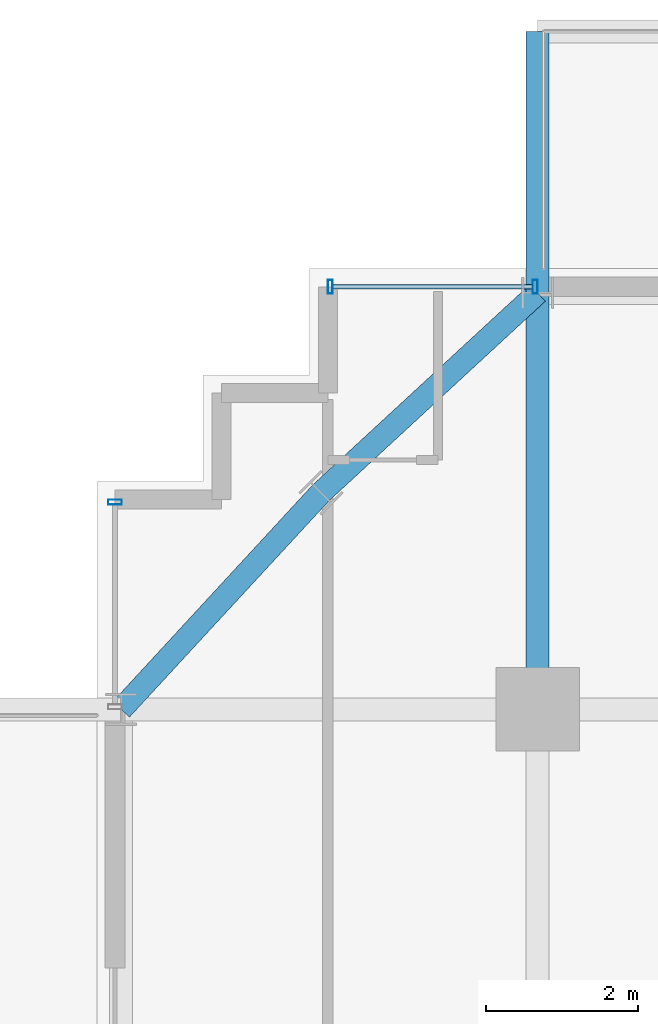
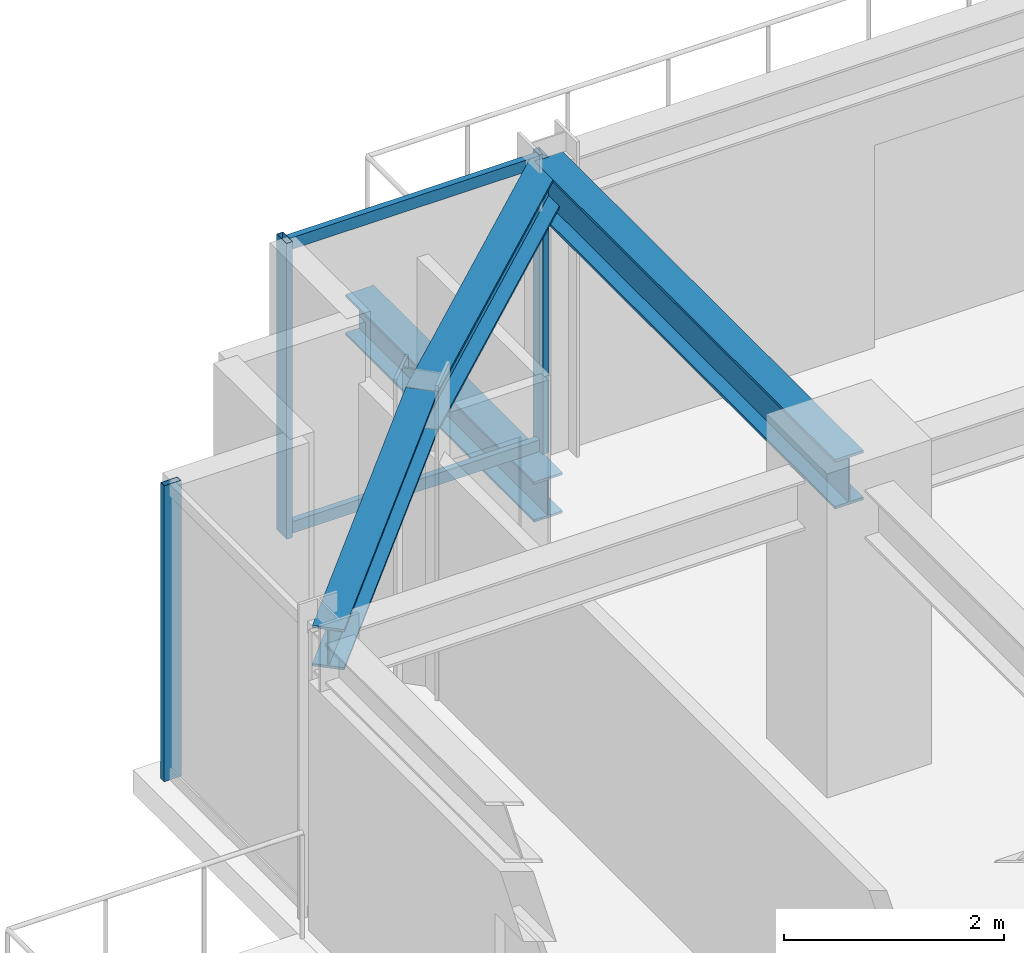
# One storey, part 17 of 32: 5 members, 4 beams, 2 elements without a shape of their own.
"""IFC4 building model written with IfcOpenShell, lengths in metres."""

from ifc_helpers import new_model, si_unit, direction, frame, origin, origin_2d, place, context, subcontext, project, spatial, hollow_rectangle, i_section, extrude, source, transform, mapped, material, material_profile, profile_set, type_object, element, aggregate, save


model = new_model("IFC4")

# Units and contexts
model_context = context("Model", 3, precision=1e-05, world=origin(), true_north=direction((0.0, 1.0)))
body_context = subcontext(model_context, "Body", "Model", "MODEL_VIEW")
ifc_project = project(units=[si_unit("LENGTHUNIT", "METRE"), si_unit("AREAUNIT", "SQUARE_METRE"), si_unit("VOLUMEUNIT", "CUBIC_METRE"), si_unit("PLANEANGLEUNIT", "RADIAN"), si_unit("MASSUNIT", "GRAM", prefix="KILO")], contexts=[model_context])

# Site, building, storey
site_placement = place(None, origin())
site = spatial("IfcSite", under=ifc_project, at=site_placement, CompositionType="ELEMENT")
building_placement = place(site_placement, origin())
building = spatial("IfcBuilding", under=site, at=building_placement, Name="Nahalor Promenade Grand Hotel", CompositionType="ELEMENT")
storey_placement = place(building_placement, frame((0.0, 0.0, 196.449951171875)))
storey = spatial("IfcBuildingStorey", under=building, at=storey_placement, Name="L50", CompositionType="ELEMENT", Elevation=196.449951171875)

# Beams
ifc_material_1 = material(Name="Steel S355JR", Category="steel")
ifc_material_profile_1 = material_profile(ifc_material_1, i_section(OverallWidth=0.3, OverallDepth=0.45, WebThickness=0.014, FlangeThickness=0.026, at=origin_2d()), Name="HEB 450")
ifc_profile_set_1 = profile_set([ifc_material_profile_1], Name="Steel S355JR")
beam_type_1 = type_object("IfcBeamType", Name="Beam-Outrigger-HEB450", PredefinedType="BEAM", material=ifc_profile_set_1)
shared_shape_1 = source(origin(), body_context, "Body", "SweptSolid", [
    extrude(i_section(OverallWidth=0.3, OverallDepth=0.45, WebThickness=0.014, FlangeThickness=0.026, at=origin_2d()), origin(), (0.0, 0.0, 1.0), 3.43994140625),
])
beam_1_placement = place(storey_placement, frame((-17.0, 22.47998046875, -0.5048828125), z_axis=(0.0, 1.0, 0.0), x_axis=(-1.0, 0.0, 0.0)))
element("IfcBeam", 1, at=beam_1_placement, inside=storey, type_object=beam_type_1, Name="BM-L50-BC-01-1", PredefinedType="BEAM", context=body_context, shape_type="MappedRepresentation", body=[
    mapped(shared_shape_1, transform((0.0, 0.0, 0.0), scale=1.0)),
])
ifc_material_profile_2 = material_profile(ifc_material_1, i_section(OverallWidth=0.3, OverallDepth=0.55, WebThickness=0.015, FlangeThickness=0.029, at=origin_2d()), Name="HEB 550")
ifc_profile_set_2 = profile_set([ifc_material_profile_2], Name="Steel S355JR")
beam_type_2 = type_object("IfcBeamType", Name="Beam-Girder-HEB550", PredefinedType="BEAM", material=ifc_profile_set_2)
shared_shape_2 = source(origin(), body_context, "Body", "SweptSolid", [
    extrude(i_section(OverallWidth=0.3, OverallDepth=0.55, WebThickness=0.015, FlangeThickness=0.029, at=origin_2d()), origin(), (0.0, 0.0, 1.0), 5.47998046875),
])
beam_2_placement = place(storey_placement, frame((-17.0, 17.0, 3.01513671875), z_axis=(0.0, 1.0, 0.0), x_axis=(-1.0, 0.0, 0.0)))
element("IfcBeam", 2, at=beam_2_placement, inside=storey, type_object=beam_type_2, Name="BM-L50-GY-0-4", PredefinedType="BEAM", context=body_context, shape_type="MappedRepresentation", body=[
    mapped(shared_shape_2, transform((0.0, 0.0, 0.0), scale=1.0)),
])
ifc_material_profile_3 = material_profile(ifc_material_1, i_section(OverallWidth=0.3, OverallDepth=0.45, WebThickness=0.014, FlangeThickness=0.026, at=origin_2d()), Name="HEB 450")
ifc_profile_set_3 = profile_set([ifc_material_profile_3], Name="Steel S355JR")
beam_type_3 = type_object("IfcBeamType", Name="Beam-Spandrel-HEB450", PredefinedType="SPANDREL", material=ifc_profile_set_3)
shared_shape_3 = source(origin(), body_context, "Body", "SweptSolid", [
    extrude(i_section(OverallWidth=0.3, OverallDepth=0.45, WebThickness=0.014, FlangeThickness=0.026, at=origin_2d()), origin(), (0.0, 0.0, 1.0), 3.878173828125),
])
for number, where, z_axis, x_axis, name in (
    (3, (-17.0, 22.47998046875, 3.06494140625), (-0.73492893846, -0.678144125843, 0.0), (0.678144125843, -0.73492893846, 0.0), "BM-L50-SPC-NW-1"),
    (4, (-19.85009765625, 19.85009765625, 3.06494140625), (-0.678144125843, -0.73492893846, 0.0), (0.73492893846, -0.678144125843, 0.0), "BM-L50-SPC-NW-2"),
):
    element("IfcBeam", number, at=place(storey_placement, frame(where, z_axis=z_axis, x_axis=x_axis)), inside=storey, type_object=beam_type_3, Name=name, PredefinedType="SPANDREL", context=body_context, shape_type="MappedRepresentation", body=[
        mapped(shared_shape_3, transform((0.0, 0.0, 0.0), scale=1.0)),
    ])

# Curtain wall, members
ifc_material_2 = material(Name="Anodised Bronze Aluminium EN AW-6063 T6", Category="aluminium")
curtain_wall_type = type_object("IfcCurtainWallType", Name="CW2 Typical Hotel Flush Bronze Unitised Curtain Wall", PredefinedType="USERDEFINED", material=ifc_material_2)
curtain_wall_1_placement = place(storey_placement, origin())
curtain_wall_1 = element("IfcCurtainWall", 5, at=curtain_wall_1_placement, inside=storey, type_object=curtain_wall_type, Name="L50 Curtain Wall CW-L50-N-1", ObjectType="UNITISED_CURTAIN_WALL", PredefinedType="USERDEFINED")
ifc_material_profile_4 = material_profile(ifc_material_2, hollow_rectangle(XDim=0.065, YDim=0.13, WallThickness=0.004, at=origin_2d()), Name="CWT 65x130x4")
ifc_profile_set_4 = profile_set([ifc_material_profile_4], Name="Anodised Bronze Aluminium EN AW-6063 T6")
member_type_1 = type_object("IfcMemberType", Name="CWT2 Typical Bronze Transom 65x130", PredefinedType="USERDEFINED", material=ifc_profile_set_4)
shared_shape_4 = source(origin(), body_context, "Body", "SweptSolid", [
    extrude(hollow_rectangle(XDim=0.065, YDim=0.13, WallThickness=0.004, at=origin_2d()), origin(), (0.0, 0.0, 1.0), 2.630126953125),
])
member_1_placement = place(storey_placement, frame((-19.695068359375, 22.56005859375, 0.06494140625), z_axis=(1.0, 0.0, 0.0), x_axis=(0.0, 1.0, 0.0)))
member_1 = element("IfcMember", 6, at=member_1_placement, type_object=member_type_1, Name="CW-L50-N-1 Transom 0-0", ObjectType="TRANSOM", PredefinedType="USERDEFINED", context=body_context, shape_type="MappedRepresentation", body=[
    mapped(shared_shape_4, transform((0.0, 0.0, 0.0), scale=1.0)),
])
member_2_placement = place(storey_placement, frame((-19.695068359375, 22.56005859375, 3.22509765625), z_axis=(1.0, 0.0, 0.0), x_axis=(0.0, 1.0, 0.0)))
member_2 = element("IfcMember", 7, at=member_2_placement, type_object=member_type_1, Name="CW-L50-N-1 Transom 0-1", ObjectType="TRANSOM", PredefinedType="USERDEFINED", context=body_context, shape_type="MappedRepresentation", body=[
    mapped(shared_shape_4, transform((0.0, 0.0, 0.0), scale=1.0)),
])
ifc_material_profile_5 = material_profile(ifc_material_2, hollow_rectangle(XDim=0.065, YDim=0.18, WallThickness=0.004, at=origin_2d()), Name="CWM 65x180x4")
ifc_profile_set_5 = profile_set([ifc_material_profile_5], Name="Anodised Bronze Aluminium EN AW-6063 T6")
member_type_2 = type_object("IfcMemberType", Name="CWM2 Typical Bronze Mullion 65x180", PredefinedType="MULLION", material=ifc_profile_set_5)
shared_shape_5 = source(origin(), body_context, "Body", "SweptSolid", [
    extrude(hollow_rectangle(XDim=0.065, YDim=0.18, WallThickness=0.004, at=origin_2d()), origin(), (0.0, 0.0, 1.0), 3.2900390625),
])
member_3_placement = place(storey_placement, frame((-19.7275390625, 22.56005859375, 0.0), z_axis=(0.0, 0.0, 1.0), x_axis=(1.0, 0.0, 0.0)))
member_3 = element("IfcMember", 8, at=member_3_placement, type_object=member_type_2, Name="CW-L50-N-1 Mullion 0", PredefinedType="MULLION", context=body_context, shape_type="MappedRepresentation", body=[
    mapped(shared_shape_5, transform((0.0, 0.0, 0.0), scale=1.0)),
])
member_4_placement = place(storey_placement, frame((-17.032470703125, 22.56005859375, 0.0), z_axis=(0.0, 0.0, 1.0), x_axis=(1.0, 0.0, 0.0)))
member_4 = element("IfcMember", 9, at=member_4_placement, type_object=member_type_2, Name="CW-L50-N-1 Mullion 1", PredefinedType="MULLION", context=body_context, shape_type="MappedRepresentation", body=[
    mapped(shared_shape_5, transform((0.0, 0.0, 0.0), scale=1.0)),
])
aggregate(curtain_wall_1, [member_3, member_4, member_1, member_2])

# Curtain wall, member
curtain_wall_2_placement = place(storey_placement, origin())
curtain_wall_2 = element("IfcCurtainWall", 10, at=curtain_wall_2_placement, inside=storey, type_object=curtain_wall_type, Name="L50 Curtain Wall CW-L50-W-3", ObjectType="UNITISED_CURTAIN_WALL", PredefinedType="USERDEFINED")
member_5_placement = place(storey_placement, frame((-22.56005859375, 19.7275390625, 0.0), z_axis=(0.0, 0.0, 1.0), x_axis=(0.0, 1.0, 0.0)))
member_5 = element("IfcMember", 11, at=member_5_placement, type_object=member_type_2, Name="CW-L50-W-3 Mullion 1", PredefinedType="MULLION", context=body_context, shape_type="MappedRepresentation", body=[
    mapped(shared_shape_5, transform((0.0, 0.0, 0.0), scale=1.0)),
])
aggregate(curtain_wall_2, [member_5])

save(model, "model.ifc")
